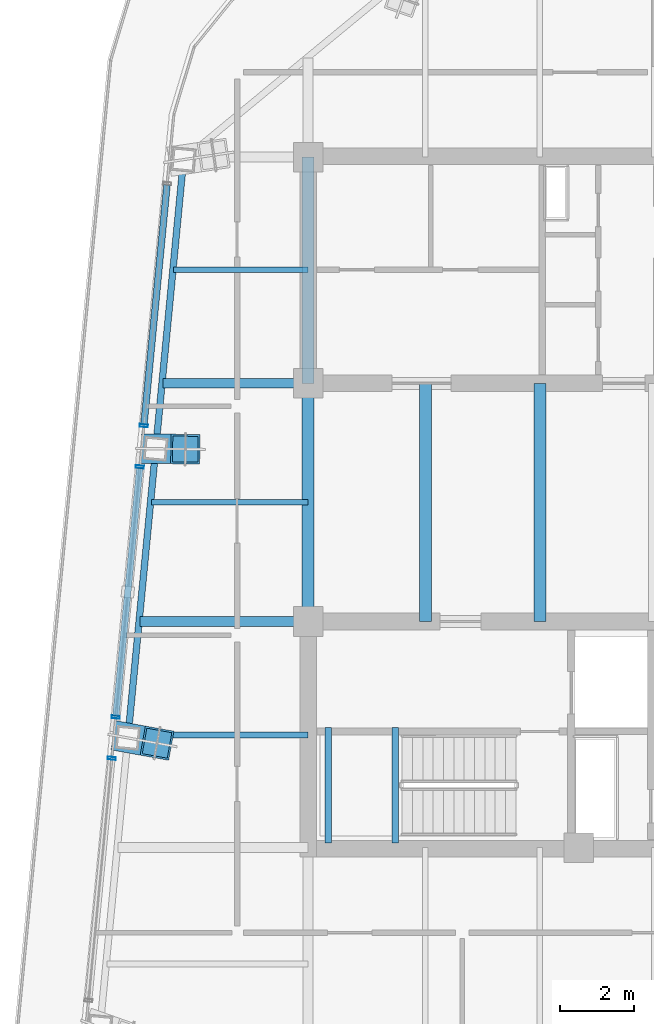
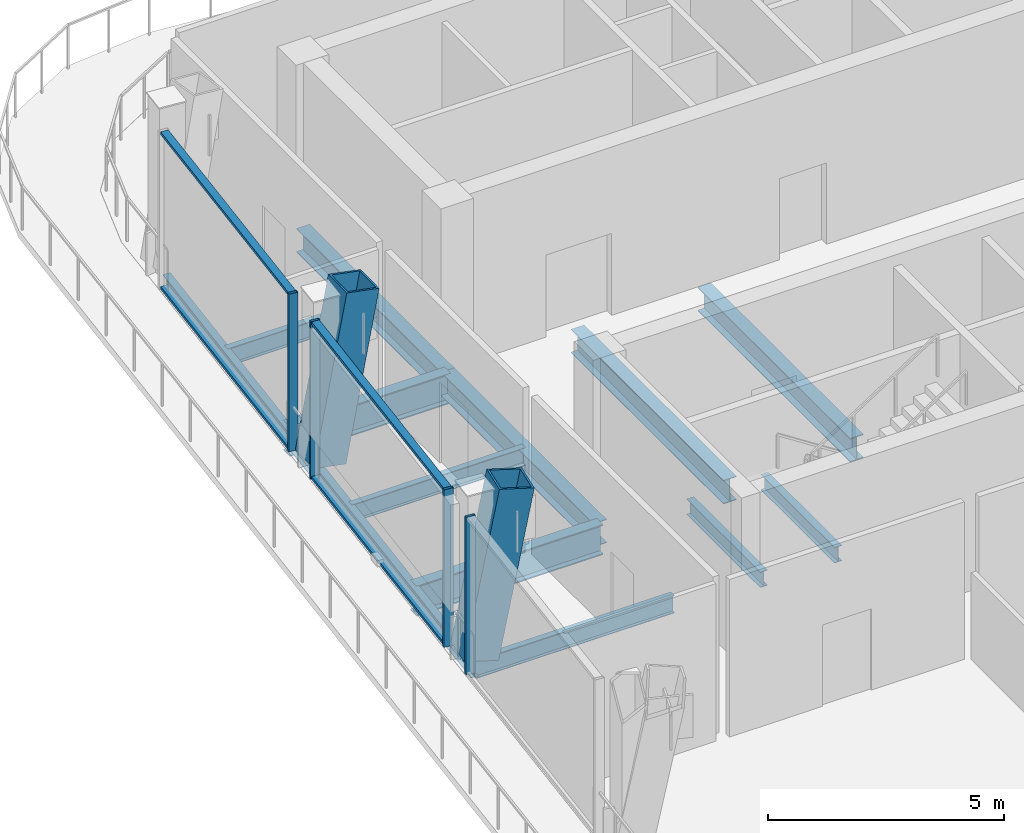
# One storey, part 4 of 19: 13 beams, 10 members, 3 elements without a shape of their own.
"""IFC4 building model written with IfcOpenShell, lengths in metres."""

from ifc_helpers import new_model, si_unit, direction, frame, origin, origin_2d, place, context, subcontext, project, spatial, hollow_rectangle, i_section, extrude, material, layer, layer_set, material_profile, profile_set, type_object, element, aggregate, save


model = new_model("IFC4")

# Units and contexts
model_context = context("Model", 3, precision=1e-05, world=origin(), true_north=direction((0.0, 1.0)))
body_context = subcontext(model_context, "Body", "Model", "MODEL_VIEW")
ifc_project = project(units=[si_unit("LENGTHUNIT", "METRE"), si_unit("AREAUNIT", "SQUARE_METRE"), si_unit("VOLUMEUNIT", "CUBIC_METRE"), si_unit("PLANEANGLEUNIT", "RADIAN"), si_unit("MASSUNIT", "GRAM", prefix="KILO")], contexts=[model_context])

# Site, building, storey
site_placement = place(None, origin())
site = spatial("IfcSite", under=ifc_project, at=site_placement, CompositionType="ELEMENT")
building_placement = place(site_placement, origin())
building = spatial("IfcBuilding", under=site, at=building_placement, Name="Qhalaya Broadcast Tower", CompositionType="ELEMENT")
storey_placement = place(building_placement, frame((0.0, 0.0, 280.550048828125)))
storey = spatial("IfcBuildingStorey", under=building, at=storey_placement, Name="L83", CompositionType="ELEMENT", Elevation=280.550048828125)

# Beams
ifc_material_1 = material(Name="Structural Steel ASTM A992 Grade 50", Category="steel")
ifc_material_profile_1 = material_profile(ifc_material_1, i_section(OverallWidth=0.154052734375, OverallDepth=0.458984375, WebThickness=0.009033203125, FlangeThickness=0.015380859375, at=origin_2d()), Name="W18X46")
ifc_profile_set_1 = profile_set([ifc_material_profile_1], Name="Structural Steel ASTM A992 Grade 50")
beam_type_1 = type_object("IfcBeamType", Name="Composite Floor Joist J04", PredefinedType="JOIST", material=ifc_profile_set_1)
beam_1_placement = place(storey_placement, frame((-14.228759765625, -5.699951171875, -0.41943359375), z_axis=(1.0, 0.0, 0.0), x_axis=(0.0, 1.0, 0.0)))
element("IfcBeam", 1, at=beam_1_placement, inside=storey, type_object=beam_type_1, Name="L83 J04 L83-JWE3W-1", PredefinedType="JOIST", context=body_context, shape_type="SweptSolid", body=[
    extrude(i_section(OverallWidth=0.154052734375, OverallDepth=0.458984375, WebThickness=0.009033203125, FlangeThickness=0.015380859375, at=origin_2d()), origin(), (0.0, 0.0, 1.0), 4.853759765625),
])
beam_2_placement = place(storey_placement, frame((-13.622314453125, 0.60009765625, -0.41943359375), z_axis=(1.0, 0.0, 0.0), x_axis=(0.0, 1.0, 0.0)))
element("IfcBeam", 2, at=beam_2_placement, inside=storey, type_object=beam_type_1, Name="L83 J04 L83-JWE4W-1", PredefinedType="JOIST", context=body_context, shape_type="SweptSolid", body=[
    extrude(i_section(OverallWidth=0.154052734375, OverallDepth=0.458984375, WebThickness=0.009033203125, FlangeThickness=0.015380859375, at=origin_2d()), origin(), (0.0, 0.0, 1.0), 4.247314453125),
])
beam_3_placement = place(storey_placement, frame((-13.015625, 6.89990234375, -0.41943359375), z_axis=(1.0, 0.0, 0.0), x_axis=(0.0, 1.0, 0.0)))
element("IfcBeam", 3, at=beam_3_placement, inside=storey, type_object=beam_type_1, Name="L83 J04 L83-JWE5W-1", PredefinedType="JOIST", context=body_context, shape_type="SweptSolid", body=[
    extrude(i_section(OverallWidth=0.154052734375, OverallDepth=0.458984375, WebThickness=0.009033203125, FlangeThickness=0.015380859375, at=origin_2d()), origin(), (0.0, 0.0, 1.0), 3.640625),
])
ifc_material_profile_2 = material_profile(ifc_material_1, i_section(OverallWidth=0.323974609375, OverallDepth=0.612060546875, WebThickness=0.0126953125, FlangeThickness=0.01904296875, at=origin_2d()), Name="W24X104")
ifc_profile_set_2 = profile_set([ifc_material_profile_2], Name="Structural Steel ASTM A992 Grade 50")
beam_type_2 = type_object("IfcBeamType", Name="Core Frame Tie Beam B04", PredefinedType="BEAM", material=ifc_profile_set_2)
beam_4_placement = place(storey_placement, frame((-9.375, 3.824951171875, -0.49609375), z_axis=(0.0, 1.0, 0.0), x_axis=(-1.0, 0.0, 0.0)))
element("IfcBeam", 4, at=beam_4_placement, inside=storey, type_object=beam_type_2, Name="L83 B04 L83-CCN2", PredefinedType="BEAM", context=body_context, shape_type="SweptSolid", body=[
    extrude(i_section(OverallWidth=0.323974609375, OverallDepth=0.612060546875, WebThickness=0.0126953125, FlangeThickness=0.01904296875, at=origin_2d()), origin(), (0.0, 0.0, 1.0), 6.125),
])
for number, where, z_axis, x_axis, name in (
    (5, (-9.375, -2.625, -0.49609375), (0.0, 1.0, 0.0), (-1.0, 0.0, 0.0), "L83 B04 L83-CCW"),
    (6, (-6.199951171875, -2.625, -0.49609375), (0.0, 1.0, 0.0), (-1.0, 0.0, 0.0), "L83 B04 L83-JC1-1"),
    (7, (-3.10009765625, -2.625, -0.49609375), (0.0, 1.0, 0.0), (-1.0, 0.0, 0.0), "L83 B04 L83-JC2-1"),
):
    element("IfcBeam", number, at=place(storey_placement, frame(where, z_axis=z_axis, x_axis=x_axis)), inside=storey, type_object=beam_type_2, Name=name, PredefinedType="BEAM", context=body_context, shape_type="SweptSolid", body=[
        extrude(i_section(OverallWidth=0.323974609375, OverallDepth=0.612060546875, WebThickness=0.0126953125, FlangeThickness=0.01904296875, at=origin_2d()), origin(), (0.0, 0.0, 1.0), 6.449951171875),
    ])
ifc_material_profile_3 = material_profile(ifc_material_1, i_section(OverallWidth=0.26708984375, OverallDepth=0.780029296875, WebThickness=0.0166015625, FlangeThickness=0.030029296875, at=origin_2d()), Name="W30X148")
ifc_profile_set_3 = profile_set([ifc_material_profile_3], Name="Structural Steel ASTM A992 Grade 50")
beam_type_3 = type_object("IfcBeamType", Name="Neck & Crown Primary Girder PG5", PredefinedType="USERDEFINED", material=ifc_profile_set_3)
beam_5_placement = place(storey_placement, frame((-13.9326171875, -2.625, -0.580078125), z_axis=(1.0, 0.0, 0.0), x_axis=(0.0, 1.0, 0.0)))
element("IfcBeam", 8, at=beam_5_placement, inside=storey, type_object=beam_type_3, Name="L83 PG5 L83-PGYW2-1", ObjectType="GIRDER", PredefinedType="USERDEFINED", context=body_context, shape_type="SweptSolid", body=[
    extrude(i_section(OverallWidth=0.26708984375, OverallDepth=0.780029296875, WebThickness=0.0166015625, FlangeThickness=0.030029296875, at=origin_2d()), origin(), (0.0, 0.0, 1.0), 4.5576171875),
])
beam_6_placement = place(storey_placement, frame((-13.311767578125, 3.824951171875, -0.580078125), z_axis=(1.0, 0.0, 0.0), x_axis=(0.0, 1.0, 0.0)))
element("IfcBeam", 9, at=beam_6_placement, inside=storey, type_object=beam_type_3, Name="L83 PG5 L83-PGYW3-1", ObjectType="GIRDER", PredefinedType="USERDEFINED", context=body_context, shape_type="SweptSolid", body=[
    extrude(i_section(OverallWidth=0.26708984375, OverallDepth=0.780029296875, WebThickness=0.0166015625, FlangeThickness=0.030029296875, at=origin_2d()), origin(), (0.0, 0.0, 1.0), 3.936767578125),
])

# Curtain wall, member
ifc_material_2 = material(Name="Solar-Control Low-E Triple Glazing", Category="glass")
ifc_layer = layer(ifc_material_2, 0.219970703125, Name="Solar-Control Low-E Triple Glazing")
ifc_layer_set = layer_set([ifc_layer], Name="Solar-Control Low-E Triple Glazing")
curtain_wall_type = type_object("IfcCurtainWallType", Name="Crown Garden & Observation Windscreen Curtain Wall CW-06", PredefinedType="NOTDEFINED", material=ifc_layer_set)
curtain_wall_1_placement = place(storey_placement, origin())
curtain_wall_1 = element("IfcCurtainWall", 10, at=curtain_wall_1_placement, inside=storey, type_object=curtain_wall_type, Name="L83 Unitised Curtain Wall L83-CW-W1", PredefinedType="NOTDEFINED")
ifc_material_3 = material(Name="Anodised Aluminium 6063-T6", Category="aluminium")
ifc_material_profile_4 = material_profile(ifc_material_3, hollow_rectangle(XDim=0.074951171875, YDim=0.219970703125, WallThickness=0.00390625, at=origin_2d()), Name="ALU-MUL 75x220x4")
ifc_profile_set_4 = profile_set([ifc_material_profile_4], Name="Anodised Aluminium 6063-T6")
member_type_1 = type_object("IfcMemberType", Name="Unitised Curtain-Wall Mullion M01", PredefinedType="MULLION", material=ifc_profile_set_4)
member_1_placement = place(storey_placement, frame((-13.823974609375, 2.678466796875, 0.0), z_axis=(0.0, 0.0, 1.0), x_axis=(-0.095842545179, -0.995396507194, 0.0)))
member_1 = element("IfcMember", 11, at=member_1_placement, type_object=member_type_1, Name="CW-06 mullion 2", PredefinedType="MULLION", context=body_context, shape_type="SweptSolid", body=[
    extrude(hollow_rectangle(XDim=0.074951171875, YDim=0.219970703125, WallThickness=0.00390625, at=origin_2d()), origin(), (0.0, 0.0, 1.0), 4.070068359375),
])

# Curtain wall, members
curtain_wall_2_placement = place(storey_placement, origin())
curtain_wall_2 = element("IfcCurtainWall", 12, at=curtain_wall_2_placement, inside=storey, type_object=curtain_wall_type, Name="L83 Unitised Curtain Wall L83-CW-W2", PredefinedType="NOTDEFINED")
member_2_placement = place(storey_placement, frame((-13.931396484375, 1.5625, 0.0), z_axis=(0.0, 0.0, 1.0), x_axis=(-0.095845544549, -0.995396218393, 0.0)))
member_2 = element("IfcMember", 13, at=member_2_placement, type_object=member_type_1, Name="CW-06 mullion 1", PredefinedType="MULLION", context=body_context, shape_type="SweptSolid", body=[
    extrude(hollow_rectangle(XDim=0.074951171875, YDim=0.219970703125, WallThickness=0.00390625, at=origin_2d()), origin(), (0.0, 0.0, 1.0), 4.070068359375),
])
member_3_placement = place(storey_placement, frame((-14.583984375, -5.215087890625, 0.0), z_axis=(0.0, 0.0, 1.0), x_axis=(-0.095845544549, -0.995396218393, 0.0)))
member_3 = element("IfcMember", 14, at=member_3_placement, type_object=member_type_1, Name="CW-06 mullion 2", PredefinedType="MULLION", context=body_context, shape_type="SweptSolid", body=[
    extrude(hollow_rectangle(XDim=0.074951171875, YDim=0.219970703125, WallThickness=0.00390625, at=origin_2d()), origin(), (0.0, 0.0, 1.0), 4.070068359375),
])

# Curtain wall, member
curtain_wall_3_placement = place(storey_placement, origin())
curtain_wall_3 = element("IfcCurtainWall", 15, at=curtain_wall_3_placement, inside=storey, type_object=curtain_wall_type, Name="L83 Unitised Curtain Wall L83-CW-W3", PredefinedType="NOTDEFINED")
member_4_placement = place(storey_placement, frame((-14.69140625, -6.330810546875, 0.0), z_axis=(0.0, 0.0, 1.0), x_axis=(-0.095842545179, -0.995396507194, 0.0)))
member_4 = element("IfcMember", 16, at=member_4_placement, type_object=member_type_1, Name="CW-06 mullion 1", PredefinedType="MULLION", context=body_context, shape_type="SweptSolid", body=[
    extrude(hollow_rectangle(XDim=0.074951171875, YDim=0.219970703125, WallThickness=0.00390625, at=origin_2d()), origin(), (0.0, 0.0, 1.0), 4.070068359375),
])
aggregate(curtain_wall_3, [member_4])

# Member
ifc_material_profile_5 = material_profile(ifc_material_3, hollow_rectangle(XDim=0.074951171875, YDim=0.179931640625, WallThickness=0.00390625, at=origin_2d()), Name="ALU-TRN 75x180x4")
ifc_profile_set_5 = profile_set([ifc_material_profile_5], Name="Anodised Aluminium 6063-T6")
member_type_2 = type_object("IfcMemberType", Name="Unitised Curtain-Wall Transom T01", PredefinedType="USERDEFINED", material=ifc_profile_set_5)
member_5_placement = place(storey_placement, frame((-13.1962890625, 9.19775390625, 0.037353515625), z_axis=(-0.09582813628, -0.995397894461, 0.0), x_axis=(0.0, 0.0, 1.0)))
member_5 = element("IfcMember", 17, at=member_5_placement, type_object=member_type_2, Name="CW-06 transom 1.1", ObjectType="TRANSOM", PredefinedType="USERDEFINED", context=body_context, shape_type="SweptSolid", body=[
    extrude(hollow_rectangle(XDim=0.074951171875, YDim=0.179931640625, WallThickness=0.00390625, at=origin_2d()), origin(), (0.0, 0.0, 1.0), 6.511962890625),
])

member_6_placement = place(storey_placement, frame((-13.1962890625, 9.19775390625, 4.032470703125), z_axis=(-0.09582813628, -0.995397894461, 0.0), x_axis=(0.0, 0.0, 1.0)))
member_6 = element("IfcMember", 18, at=member_6_placement, type_object=member_type_2, Name="CW-06 transom 1.2", ObjectType="TRANSOM", PredefinedType="USERDEFINED", context=body_context, shape_type="SweptSolid", body=[
    extrude(hollow_rectangle(XDim=0.074951171875, YDim=0.179931640625, WallThickness=0.00390625, at=origin_2d()), origin(), (0.0, 0.0, 1.0), 6.511962890625),
])

aggregate(curtain_wall_1, [member_1, member_5, member_6])

member_7_placement = place(storey_placement, frame((-13.93505859375, 1.525146484375, 0.037353515625), z_axis=(-0.095823630721, -0.995398328206, 0.0), x_axis=(0.0, 0.0, 1.0)))
member_7 = element("IfcMember", 19, at=member_7_placement, type_object=member_type_2, Name="CW-06 transom 1.1", ObjectType="TRANSOM", PredefinedType="USERDEFINED", context=body_context, shape_type="SweptSolid", body=[
    extrude(hollow_rectangle(XDim=0.074951171875, YDim=0.179931640625, WallThickness=0.00390625, at=origin_2d()), origin(), (0.0, 0.0, 1.0), 6.73388671875),
])

member_8_placement = place(storey_placement, frame((-13.93505859375, 1.525146484375, 4.032470703125), z_axis=(-0.095823630721, -0.995398328206, 0.0), x_axis=(0.0, 0.0, 1.0)))
member_8 = element("IfcMember", 20, at=member_8_placement, type_object=member_type_2, Name="CW-06 transom 1.2", ObjectType="TRANSOM", PredefinedType="USERDEFINED", context=body_context, shape_type="SweptSolid", body=[
    extrude(hollow_rectangle(XDim=0.074951171875, YDim=0.179931640625, WallThickness=0.00390625, at=origin_2d()), origin(), (0.0, 0.0, 1.0), 6.73388671875),
])

aggregate(curtain_wall_2, [member_2, member_3, member_7, member_8])

# Members
ifc_material_4 = material(Name="Structural Steel ASTM A572 Grade 50", Category="steel")
ifc_material_profile_6 = material_profile(ifc_material_4, hollow_rectangle(XDim=0.800048828125, YDim=0.800048828125, WallThickness=0.050048828125, at=origin_2d()), Name="BOX 800x800x50")
ifc_profile_set_6 = profile_set([ifc_material_profile_6], Name="Structural Steel ASTM A572 Grade 50")
member_type_3 = type_object("IfcMemberType", Name="Upper Exoskeleton Transfer Strut RK2", PredefinedType="BRACE", material=ifc_profile_set_6)
for number, where, z_axis, x_axis, name in (
    (21, (-13.50244140625, 2.052490234375, 0.083984375), (0.184929798256, -0.002362241949, 0.982748894443), (0.012772680624, 0.999918425988, 0.0), "L83 Inclined Exoskeleton Transfer Strut 14"),
    (22, (-14.25634765625, -5.77783203125, 0.083984375), (0.181950050085, -0.032959112627, 0.982755247337), (0.17824299528, 0.983986501246, 0.0), "L83 Inclined Exoskeleton Transfer Strut 15"),
):
    element("IfcMember", number, at=place(storey_placement, frame(where, z_axis=z_axis, x_axis=x_axis)), inside=storey, type_object=member_type_3, Name=name, PredefinedType="BRACE", context=body_context, shape_type="SweptSolid", body=[
        extrude(hollow_rectangle(XDim=0.800048828125, YDim=0.800048828125, WallThickness=0.050048828125, at=origin_2d()), origin(), (0.0, 0.0, 1.0), 4.3408203125),
    ])

# Beams
ifc_material_profile_7 = material_profile(ifc_material_1, i_section(OverallWidth=0.177978515625, OverallDepth=0.406005859375, WebThickness=0.0078125, FlangeThickness=0.0126953125, at=origin_2d()), Name="W16X40")
ifc_profile_set_7 = profile_set([ifc_material_profile_7], Name="Structural Steel ASTM A992 Grade 50")
beam_type_4 = type_object("IfcBeamType", Name="Upper Perimeter Spandrel Beam SP2", PredefinedType="SPANDREL", material=ifc_profile_set_7)
beam_7_placement = place(storey_placement, frame((-12.74853515625, 9.883056640625, -0.39306640625), z_axis=(-0.095834223619, -0.995397308407, 0.0), x_axis=(0.995397308407, -0.095834223619, 0.0)))
element("IfcBeam", 23, at=beam_7_placement, inside=storey, type_object=beam_type_4, Name="L83 SP2 L83-SPR-13", PredefinedType="SPANDREL", context=body_context, shape_type="SweptSolid", body=[
    extrude(i_section(OverallWidth=0.177978515625, OverallDepth=0.406005859375, WebThickness=0.0078125, FlangeThickness=0.0126953125, at=origin_2d()), origin(), (0.0, 0.0, 1.0), 7.86669921875),
])
beam_8_placement = place(storey_placement, frame((-13.50244140625, 2.052490234375, -0.39306640625), z_axis=(-0.095837184179, -0.995397023367, 0.0), x_axis=(0.995397023367, -0.095837184179, 0.0)))
element("IfcBeam", 24, at=beam_8_placement, inside=storey, type_object=beam_type_4, Name="L83 SP2 L83-SPR-14", PredefinedType="SPANDREL", context=body_context, shape_type="SweptSolid", body=[
    extrude(i_section(OverallWidth=0.177978515625, OverallDepth=0.406005859375, WebThickness=0.0078125, FlangeThickness=0.0126953125, at=origin_2d()), origin(), (0.0, 0.0, 1.0), 7.866455078125),
])
for number, where, z_axis, x_axis, name in (
    (25, (-8.830078125, -8.6201171875, 1.77197265625), (0.0, 1.0, 0.0), (-1.0, 0.0, 0.0), "L83 ST-2 Half-Landing Bearer Beam 1"),
    (26, (-7.014892578125, -8.6201171875, 1.77197265625), (0.0, 1.0, 0.0), (-1.0, 0.0, 0.0), "L83 ST-2 Half-Landing Bearer Beam 2"),
):
    element("IfcBeam", number, at=place(storey_placement, frame(where, z_axis=z_axis, x_axis=x_axis)), inside=storey, type_object=beam_type_4, Name=name, PredefinedType="SPANDREL", context=body_context, shape_type="SweptSolid", body=[
        extrude(i_section(OverallWidth=0.177978515625, OverallDepth=0.406005859375, WebThickness=0.0078125, FlangeThickness=0.0126953125, at=origin_2d()), origin(), (0.0, 0.0, 1.0), 3.1201171875),
    ])

save(model, "model.ifc")
